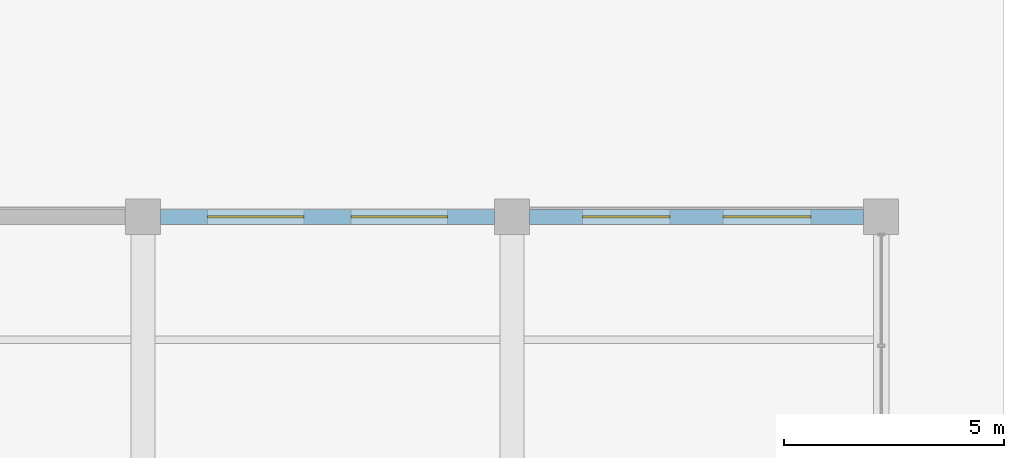
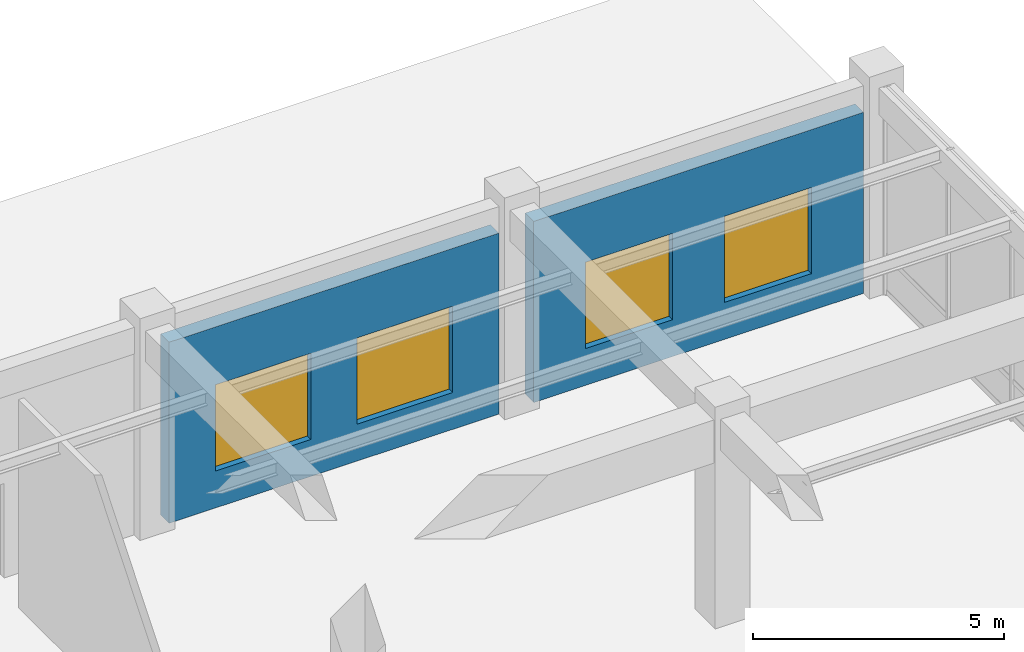
# One storey, part 135 of 157: 4 windows, 2 walls, 4 openings.
"""IFC4 building model written with IfcOpenShell, lengths in metres."""

from ifc_helpers import new_model, si_unit, direction, frame, frame_2d, origin, place, context, subcontext, project, spatial, rectangle, extrude, material, layer, layer_set, type_object, element, fill, save


model = new_model("IFC4")

# Units and contexts
model_context = context("Model", 3, precision=1e-05, world=origin(), true_north=direction((0.0, 1.0)))
body_context = subcontext(model_context, "Body", "Model", "MODEL_VIEW")
ifc_project = project(units=[si_unit("LENGTHUNIT", "METRE"), si_unit("AREAUNIT", "SQUARE_METRE"), si_unit("VOLUMEUNIT", "CUBIC_METRE"), si_unit("PLANEANGLEUNIT", "RADIAN"), si_unit("MASSUNIT", "GRAM", prefix="KILO"), si_unit("THERMODYNAMICTEMPERATUREUNIT", "KELVIN"), si_unit("POWERUNIT", "WATT")], contexts=[model_context])

# Site, building, storey
site_placement = place(None, origin())
site = spatial("IfcSite", under=ifc_project, at=site_placement, CompositionType="ELEMENT")
building_placement = place(site_placement, origin())
building = spatial("IfcBuilding", under=site, at=building_placement, Name="Darbajah Civic Hall", CompositionType="ELEMENT")
storey_placement = place(building_placement, origin())
storey = spatial("IfcBuildingStorey", under=building, at=storey_placement, Name="L00", CompositionType="ELEMENT", Elevation=0.0)

# Wall, openings, windows
ifc_material_1 = material(Name="Qatari Desert Limestone Ashlar", Category="masonry")
ifc_layer = layer(ifc_material_1, 0.340087890625, Name="Qatari Desert Limestone Ashlar")
ifc_layer_set = layer_set([ifc_layer], Name="Qatari Desert Limestone Ashlar")
wall_type = type_object("IfcWallType", Name="Exterior Wall 340mm", PredefinedType="SOLIDWALL", material=ifc_layer_set)
wall_1_placement = place(storey_placement, frame((177.798095703125, 106.800048828125, 0.0), z_axis=(0.0, 0.0, 1.0), x_axis=(-1.0, 0.0, 0.0)))
wall_1 = element("IfcWall", 1, at=wall_1_placement, inside=storey, type_object=wall_type, Name="L00 exterior wall EW-340", PredefinedType="SOLIDWALL", context=body_context, shape_type="SweptSolid", body=[
    extrude(rectangle(XDim=7.59619140625, YDim=0.340087890625, at=frame_2d((3.798095703125, 0.0))), origin(), (0.0, 0.0, 1.0), 4.409912109375),
])
opening_1_placement = place(wall_1_placement, frame((1.19873046875, 0.0, 0.89990234375)))
opening_1 = element("IfcOpeningElement", 2, at=opening_1_placement, cuts=wall_1, Name="Opening WN-06", PredefinedType="OPENING", context=body_context, shape_type="SweptSolid", body=[
    extrude(rectangle(XDim=2.0, YDim=2.10009765625, at=frame_2d((1.0, 1.050048828125))), frame((0.0, 0.179931640625, 0.0), z_axis=(0.0, -1.0, 0.0), x_axis=(1.0, 0.0, 0.0)), (0.0, 0.0, 1.0), 0.360107421875),
])
opening_2_placement = place(wall_1_placement, frame((4.397216796875, 0.0, 0.89990234375)))
opening_2 = element("IfcOpeningElement", 3, at=opening_2_placement, cuts=wall_1, Name="Opening WN-06", PredefinedType="OPENING", context=body_context, shape_type="SweptSolid", body=[
    extrude(rectangle(XDim=2.0, YDim=2.10009765625, at=frame_2d((1.0, 1.050048828125))), frame((0.0, 0.179931640625, 0.0), z_axis=(0.0, -1.0, 0.0), x_axis=(1.0, 0.0, 0.0)), (0.0, 0.0, 1.0), 0.360107421875),
])
ifc_material_2 = material(Name="Low-E Solar Control Double Glazing", Category="glass")
window_type_1 = type_object("IfcWindowType", Name="Facade Window 2000x2100", PartitioningType="DOUBLE_PANEL_VERTICAL", PredefinedType="WINDOW", material=ifc_material_2)
window_1_placement = place(opening_1_placement, origin())
window_1 = element("IfcWindow", 4, at=window_1_placement, inside=storey, type_object=window_type_1, Name="L00 facade window WN-06", OverallHeight=2.10009765625, OverallWidth=2.0, PartitioningType="SINGLE_PANEL", PredefinedType="WINDOW", context=body_context, shape_type="SweptSolid", body=[
    extrude(rectangle(XDim=2.0, YDim=2.10009765625, at=frame_2d((1.0, 1.050048828125))), frame((0.0, 0.030029296875, 0.0), z_axis=(0.0, -1.0, 0.0), x_axis=(1.0, 0.0, 0.0)), (0.0, 0.0, 1.0), 0.06005859375),
])
fill(opening_1, window_1)
window_2_placement = place(opening_2_placement, origin())
window_2 = element("IfcWindow", 5, at=window_2_placement, inside=storey, type_object=window_type_1, Name="L00 facade window WN-06", OverallHeight=2.10009765625, OverallWidth=2.0, PartitioningType="SINGLE_PANEL", PredefinedType="WINDOW", context=body_context, shape_type="SweptSolid", body=[
    extrude(rectangle(XDim=2.0, YDim=2.10009765625, at=frame_2d((1.0, 1.050048828125))), frame((0.0, 0.030029296875, 0.0), z_axis=(0.0, -1.0, 0.0), x_axis=(1.0, 0.0, 0.0)), (0.0, 0.0, 1.0), 0.06005859375),
])
fill(opening_2, window_2)

wall_2_placement = place(storey_placement, frame((169.39794921875, 106.800048828125, 0.0), z_axis=(0.0, 0.0, 1.0), x_axis=(-1.0, 0.0, 0.0)))
wall_2 = element("IfcWall", 6, at=wall_2_placement, inside=storey, type_object=wall_type, Name="L00 exterior wall EW-340", PredefinedType="SOLIDWALL", context=body_context, shape_type="SweptSolid", body=[
    extrude(rectangle(XDim=7.595947265625, YDim=0.340087890625, at=frame_2d((3.7978515625, 0.0))), origin(), (0.0, 0.0, 1.0), 4.409912109375),
])
opening_3_placement = place(wall_2_placement, frame((1.065185546875, 0.0, 0.89990234375)))
opening_3 = element("IfcOpeningElement", 7, at=opening_3_placement, cuts=wall_2, Name="Opening WN-07", PredefinedType="OPENING", context=body_context, shape_type="SweptSolid", body=[
    extrude(rectangle(XDim=2.199951171875, YDim=2.10009765625, at=frame_2d((1.10009765625, 1.050048828125))), frame((0.0, 0.179931640625, 0.0), z_axis=(0.0, -1.0, 0.0), x_axis=(1.0, 0.0, 0.0)), (0.0, 0.0, 1.0), 0.360107421875),
])
opening_4_placement = place(wall_2_placement, frame((4.330810546875, 0.0, 0.89990234375)))
opening_4 = element("IfcOpeningElement", 8, at=opening_4_placement, cuts=wall_2, Name="Opening WN-07", PredefinedType="OPENING", context=body_context, shape_type="SweptSolid", body=[
    extrude(rectangle(XDim=2.199951171875, YDim=2.10009765625, at=frame_2d((1.10009765625, 1.050048828125))), frame((0.0, 0.179931640625, 0.0), z_axis=(0.0, -1.0, 0.0), x_axis=(1.0, 0.0, 0.0)), (0.0, 0.0, 1.0), 0.360107421875),
])
window_type_2 = type_object("IfcWindowType", Name="Facade Window 2200x2100", PartitioningType="DOUBLE_PANEL_VERTICAL", PredefinedType="WINDOW", material=ifc_material_2)
window_3_placement = place(opening_3_placement, origin())
window_3 = element("IfcWindow", 9, at=window_3_placement, inside=storey, type_object=window_type_2, Name="L00 facade window WN-07", OverallHeight=2.10009765625, OverallWidth=2.199951171875, PartitioningType="SINGLE_PANEL", PredefinedType="WINDOW", context=body_context, shape_type="SweptSolid", body=[
    extrude(rectangle(XDim=2.199951171875, YDim=2.10009765625, at=frame_2d((1.10009765625, 1.050048828125))), frame((0.0, 0.030029296875, 0.0), z_axis=(0.0, -1.0, 0.0), x_axis=(1.0, 0.0, 0.0)), (0.0, 0.0, 1.0), 0.06005859375),
])
fill(opening_3, window_3)
window_4_placement = place(opening_4_placement, origin())
window_4 = element("IfcWindow", 10, at=window_4_placement, inside=storey, type_object=window_type_2, Name="L00 facade window WN-07", OverallHeight=2.10009765625, OverallWidth=2.199951171875, PartitioningType="SINGLE_PANEL", PredefinedType="WINDOW", context=body_context, shape_type="SweptSolid", body=[
    extrude(rectangle(XDim=2.199951171875, YDim=2.10009765625, at=frame_2d((1.10009765625, 1.050048828125))), frame((0.0, 0.030029296875, 0.0), z_axis=(0.0, -1.0, 0.0), x_axis=(1.0, 0.0, 0.0)), (0.0, 0.0, 1.0), 0.06005859375),
])
fill(opening_4, window_4)

save(model, "model.ifc")
